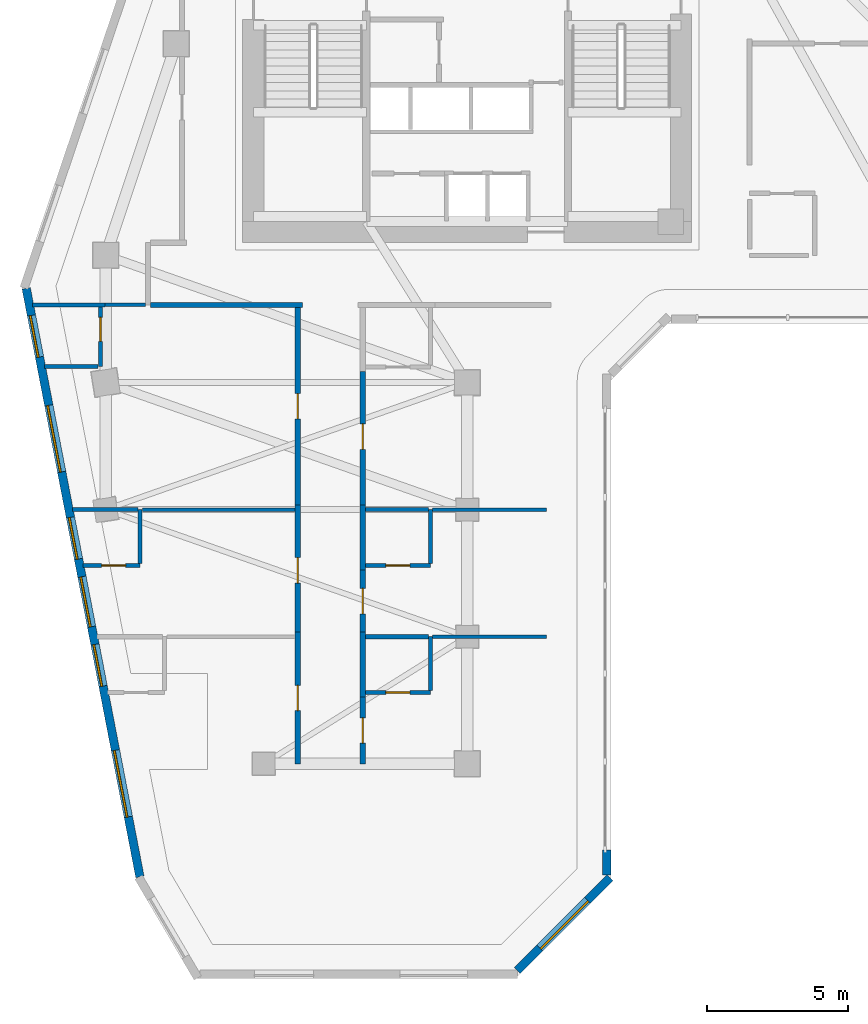
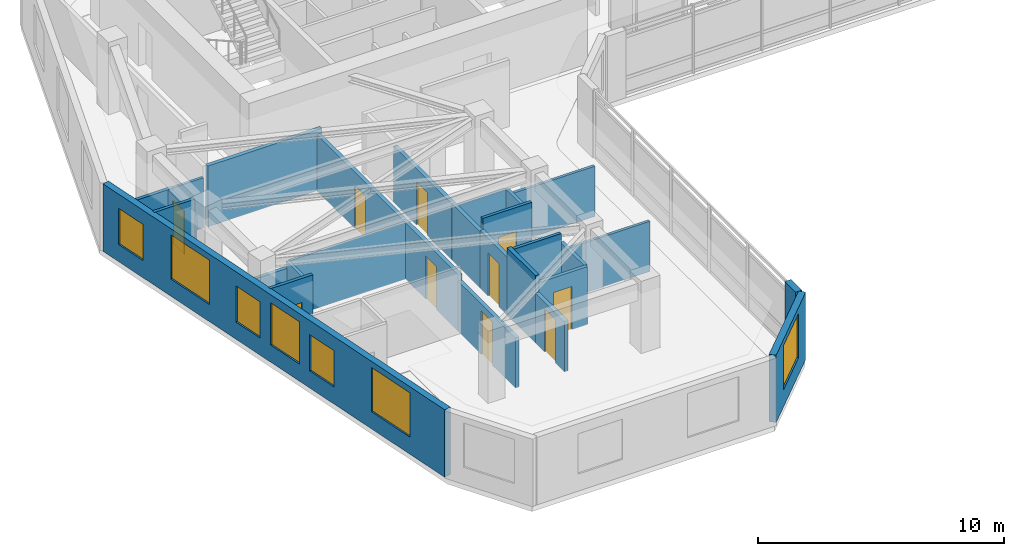
# One storey, part 5 of 14: 28 walls, 10 doors, 7 windows, 17 openings.
"""IFC4 building model written with IfcOpenShell, lengths in metres."""

import ifcopenshell
import ifcopenshell.guid

model = None  # the IFC model being written
_history = None  # IfcOwnerHistory: only IFC2X3 demands one
_inside = {}  # id of a spatial element -> (the spatial element, [elements in it])
_under = {}  # id of a project, library or spatial element -> (it, [spatial elements below it])
_declared = {}  # id of a project -> (the project, [libraries it declares])
_typed = {}  # id of a type object -> (the type object, [elements of that type])
_made_of = {}  # id of a material, layer set ... -> (it, [elements and type objects made of it])


def new_model(schema):
    """Start an empty IFC model of exactly this schema.

    Asked for "IFC4X3", IfcOpenShell would pick the latest addendum, in which some entities
    have other attributes; the version numbers below select the first issue.
    IFC2X3 requires an IfcOwnerHistory on every rooted entity: one is made here for all.
    """
    global model, _history
    if schema == "IFC4X3":
        model = ifcopenshell.file(schema_version=(4, 3, 0, 0))
    else:
        model = ifcopenshell.file(schema=schema)
    _inside.clear()
    _under.clear()
    _declared.clear()
    _typed.clear()
    _made_of.clear()
    _history = None
    if model.schema == "IFC2X3":
        org = make("IfcOrganization", Name="unknown")
        user = make(
            "IfcPersonAndOrganization",
            ThePerson=make("IfcPerson", FamilyName="unknown"),
            TheOrganization=org,
        )
        app = make(
            "IfcApplication",
            ApplicationDeveloper=org,
            Version="unknown",
            ApplicationFullName="unknown",
            ApplicationIdentifier="unknown",
        )
        _history = make(
            "IfcOwnerHistory",
            OwningUser=user,
            OwningApplication=app,
            ChangeAction="ADDED",
            CreationDate=0,
        )
    return model


def make(cls, **values):
    """One entity of the class cls with the attributes given. An attribute that is None is left unset."""
    return model.create_entity(
        cls, **{name: value for name, value in values.items() if value is not None}
    )


def rooted(cls, **values):
    """An entity with a GlobalId (a new one), such as an element, a storey or a relation."""
    return make(cls, GlobalId=ifcopenshell.guid.new(), OwnerHistory=_history, **values)


def si_unit(unit_type, name, prefix=None):
    """IfcSIUnit, for example si_unit("LENGTHUNIT", "METRE", prefix="MILLI")."""
    return make("IfcSIUnit", UnitType=unit_type, Prefix=prefix, Name=name)


def assignment(units):
    """IfcUnitAssignment: the units of a project."""
    return None if units is None else make("IfcUnitAssignment", Units=units)


def point(xyz):
    """IfcCartesianPoint."""
    return None if xyz is None else make("IfcCartesianPoint", Coordinates=xyz)


def direction(xyz):
    """IfcDirection."""
    return None if xyz is None else make("IfcDirection", DirectionRatios=xyz)


def frame(location, z_axis=None, x_axis=None):
    """IfcAxis2Placement3D, a coordinate frame: its origin and axes. An axis left out is left unset."""
    return make(
        "IfcAxis2Placement3D",
        Location=point(location),
        Axis=direction(z_axis),
        RefDirection=direction(x_axis),
    )


def frame_2d(location, x_axis=None):
    """IfcAxis2Placement2D, a coordinate frame in the plane: its origin and x axis."""
    return make(
        "IfcAxis2Placement2D", Location=point(location), RefDirection=direction(x_axis)
    )


def origin():
    """The frame at (0, 0, 0) with its axes left unset."""
    return frame((0.0, 0.0, 0.0))


def place(relative_to, where):
    """IfcLocalPlacement: puts the frame where relative to a parent placement (None: the world)."""
    return make(
        "IfcLocalPlacement", PlacementRelTo=relative_to, RelativePlacement=where
    )


def context(
    kind, dimensions, precision=None, world=None, true_north=None, identifier=None
):
    """IfcGeometricRepresentationContext, for example the 3D "Model" context."""
    return make(
        "IfcGeometricRepresentationContext",
        ContextIdentifier=identifier,
        ContextType=kind,
        CoordinateSpaceDimension=dimensions,
        Precision=precision,
        WorldCoordinateSystem=world,
        TrueNorth=true_north,
    )


def subcontext(parent, identifier, kind, view, scale=None):
    """IfcGeometricRepresentationSubContext, for example "Body" below "Model"."""
    return make(
        "IfcGeometricRepresentationSubContext",
        ContextIdentifier=identifier,
        ContextType=kind,
        ParentContext=parent,
        TargetScale=scale,
        TargetView=view,
    )


def project(units=None, contexts=None):
    """IfcProject with its units and contexts."""
    return rooted(
        "IfcProject",
        Name="project",
        RepresentationContexts=contexts,
        UnitsInContext=assignment(units),
    )


def spatial(cls, under=None, at=None, **own):
    """A site, building, storey or space (cls), placed at a placement, below another one or the project."""
    s = rooted(cls, ObjectPlacement=at, **own)
    if under is not None:
        _under.setdefault(under.id(), (under, []))[1].append(s)
    return s


def profile(cls, at=None, kind="AREA", **sizes):
    """A parametric profile (cls). Its sizes go by their IFC names, for example OverallWidth=200.0."""
    return make(cls, ProfileType=kind, Position=at, **sizes)


def rectangle(**sizes):
    """IfcRectangleProfileDef."""
    return profile("IfcRectangleProfileDef", **sizes)


def extrude(swept, where, along, depth):
    """IfcExtrudedAreaSolid: the profile swept, set in the frame where, extruded along a direction by depth."""
    return make(
        "IfcExtrudedAreaSolid",
        SweptArea=swept,
        Position=where,
        ExtrudedDirection=direction(along),
        Depth=depth,
    )


def shape(context_of_items, identifier, shape_type, items):
    """IfcShapeRepresentation: the items that make up one representation, for example the "Body"."""
    return make(
        "IfcShapeRepresentation",
        ContextOfItems=context_of_items,
        RepresentationIdentifier=identifier,
        RepresentationType=shape_type,
        Items=items,
    )


def source(mapping_origin, context_of_items, identifier, shape_type, items):
    """IfcRepresentationMap: a shape defined once, which mapped items show again and again."""
    return make(
        "IfcRepresentationMap",
        MappingOrigin=mapping_origin,
        MappedRepresentation=shape(context_of_items, identifier, shape_type, items),
    )


def transform(
    local_origin,
    x_axis=None,
    y_axis=None,
    z_axis=None,
    scale=None,
    scale2=None,
    scale3=None,
    uniform=True,
):
    """IfcCartesianTransformationOperator3D, or its non-uniform kind. x_axis, y_axis, z_axis: its Axis1, 2, 3."""
    if uniform:
        return make(
            "IfcCartesianTransformationOperator3D",
            Axis1=direction(x_axis),
            Axis2=direction(y_axis),
            LocalOrigin=point(local_origin),
            Scale=scale,
            Axis3=direction(z_axis),
        )
    return make(
        "IfcCartesianTransformationOperator3DnonUniform",
        Axis1=direction(x_axis),
        Axis2=direction(y_axis),
        LocalOrigin=point(local_origin),
        Scale=scale,
        Axis3=direction(z_axis),
        Scale2=scale2,
        Scale3=scale3,
    )


def mapped(mapping_source, mapping_target):
    """IfcMappedItem: shows the shape of a source again, moved by a transform."""
    return make(
        "IfcMappedItem", MappingSource=mapping_source, MappingTarget=mapping_target
    )


def material(Name=None, Category=None):
    """IfcMaterial."""
    return make("IfcMaterial", Name=Name, Category=Category)


def layer(
    of_material, thickness, ventilated=None, Name=None, Category=None, Priority=None
):
    """IfcMaterialLayer: one layer of a wall or slab, of a material (None: an air gap)."""
    return make(
        "IfcMaterialLayer",
        Material=of_material,
        LayerThickness=thickness,
        IsVentilated=ventilated,
        Name=Name,
        Category=Category,
        Priority=Priority,
    )


def layer_set(layers, Name=None):
    """IfcMaterialLayerSet."""
    return make("IfcMaterialLayerSet", MaterialLayers=layers, LayerSetName=Name)


def made_of(thing, what):
    """Note that an element or type object is made of a material, layer set ...; save() writes the relation."""
    if what is not None:
        _made_of.setdefault(what.id(), (what, []))[1].append(thing)
    return thing


def type_object(cls, material=None, **own):
    """A type object (cls), such as IfcWallType, which elements share."""
    return made_of(rooted(cls, **own), material)


def element(
    cls,
    number,
    at=None,
    inside=None,
    cuts=None,
    type_object=None,
    material=None,
    context=None,
    identifier="Body",
    shape_type=None,
    held_by="IfcProductDefinitionShape",
    body=None,
    shapes=None,
    **own,
):
    """One element of the class cls, such as IfcWall. Its Tag is "e" and its number.

    at: its placement. inside: the storey or other place that contains it. cuts: it is an
    opening in that element (IfcRelVoidsElement). A single representation is given by context,
    identifier, shape_type and body (its items); several are given by shapes. held_by: the class
    of the entity that holds the representations. save() writes the other relations.
    """
    e = rooted(cls, Tag="e%d" % number, ObjectPlacement=at, **own)
    if body is not None:
        shapes = [shape(context, identifier, shape_type, body)]
    if shapes is not None:
        e.Representation = make(held_by, Representations=shapes)
    if inside is not None:
        _inside.setdefault(inside.id(), (inside, []))[1].append(e)
    if cuts is not None:
        rooted(
            "IfcRelVoidsElement", RelatingBuildingElement=cuts, RelatedOpeningElement=e
        )
    if type_object is not None:
        _typed.setdefault(type_object.id(), (type_object, []))[1].append(e)
    return made_of(e, material)


def fill(opening, filler):
    """IfcRelFillsElement: the door or window that sits in an opening."""
    return rooted(
        "IfcRelFillsElement",
        RelatingOpeningElement=opening,
        RelatedBuildingElement=filler,
    )


def aggregate(whole, parts):
    """IfcRelAggregates: a whole, such as a stair, and the parts it consists of."""
    return rooted("IfcRelAggregates", RelatingObject=whole, RelatedObjects=parts)


def save(model, path):
    """Write the relations noted so far, then the file.

    IfcRelAggregates (storeys below a building ...), IfcRelContainedInSpatialStructure (elements
    in a storey), IfcRelDefinesByType, IfcRelAssociatesMaterial and IfcRelDeclares: one each for
    every whole, place, type object, material and project.
    """
    for whole, parts in _under.values():
        aggregate(whole, parts)
    for where, things in _inside.values():
        rooted(
            "IfcRelContainedInSpatialStructure",
            RelatedElements=things,
            RelatingStructure=where,
        )
    for kind, things in _typed.values():
        rooted("IfcRelDefinesByType", RelatedObjects=things, RelatingType=kind)
    for what, things in _made_of.values():
        rooted("IfcRelAssociatesMaterial", RelatedObjects=things, RelatingMaterial=what)
    for by, libraries in _declared.values():
        rooted("IfcRelDeclares", RelatingContext=by, RelatedDefinitions=libraries)
    model.write(path)


model = new_model("IFC4")

# Units and contexts
model_context = context("Model", 3, precision=1e-05, world=origin(), true_north=direction((0.0, 1.0)))
body_context = subcontext(model_context, "Body", "Model", "MODEL_VIEW")
ifc_project = project(units=[si_unit("LENGTHUNIT", "METRE"), si_unit("AREAUNIT", "SQUARE_METRE"), si_unit("VOLUMEUNIT", "CUBIC_METRE"), si_unit("PLANEANGLEUNIT", "RADIAN"), si_unit("MASSUNIT", "GRAM", prefix="KILO")], contexts=[model_context])

# Site, building, storey
site_placement = place(None, origin())
site = spatial("IfcSite", under=ifc_project, at=site_placement, CompositionType="ELEMENT")
building_placement = place(site_placement, origin())
building = spatial("IfcBuilding", under=site, at=building_placement, Name="Calvemar Wedge Station Tower", CompositionType="ELEMENT")
storey_placement = place(building_placement, frame((0.0, 0.0, 128.60009765625)))
storey = spatial("IfcBuildingStorey", under=building, at=storey_placement, Name="L31", CompositionType="ELEMENT", Elevation=128.60009765625)

# Wall
ifc_material_1 = material(Name="Double-stud fire-rated corridor partition")
ifc_layer_1 = layer(ifc_material_1, 0.179931640625)
ifc_layer_set_1 = layer_set([ifc_layer_1], Name="Double-stud fire-rated corridor partition")
wall_type_1 = type_object("IfcWallType", Name="W-CORR-180", PredefinedType="PARTITIONING", material=ifc_layer_set_1)
wall_1_placement = place(storey_placement, frame((17.9599609375, 31.25, 0.0), z_axis=(0.0, 0.0, 1.0), x_axis=(-1.0, 0.0, 0.0)))
element("IfcWall", 1, at=wall_1_placement, inside=storey, type_object=wall_type_1, Name="Storey L31 Interior Partition WL-L31-007", PredefinedType="PARTITIONING", context=body_context, shape_type="SweptSolid", body=[
    extrude(rectangle(XDim=5.365966796875, YDim=0.179931640625, at=frame_2d((2.68310546875, 0.0))), origin(), (0.0, 0.0, 1.0), 3.018798828125),
])

# Wall, opening, door
wall_2_placement = place(storey_placement, frame((17.800048828125, 15.0, 0.0), z_axis=(0.0, 0.0, 1.0), x_axis=(0.0, 1.0, 0.0)))
wall_2 = element("IfcWall", 2, at=wall_2_placement, inside=storey, type_object=wall_type_1, Name="Storey L31 Interior Partition WL-L31-043", PredefinedType="PARTITIONING", context=body_context, shape_type="SweptSolid", body=[
    extrude(rectangle(XDim=4.659912109375, YDim=0.179931640625, at=frame_2d((2.330078125, 0.0))), origin(), (0.0, 0.0, 1.0), 2.491943359375),
])
shared_shape_1 = source(origin(), body_context, "Body", "SweptSolid", [
    extrude(rectangle(XDim=0.89990234375, YDim=2.14990234375, at=frame_2d((0.449951171875, 1.074951171875))), frame((0.0, 0.10009765625, 0.0), z_axis=(0.0, -1.0, 0.0), x_axis=(1.0, 0.0, 0.0)), (0.0, 0.0, 1.0), 0.199951171875),
])
opening_1_placement = place(wall_2_placement, frame((1.8798828125, 0.0, 0.0)))
opening_1 = element("IfcOpeningElement", 3, at=opening_1_placement, cuts=wall_2, Name="Opening FD-60", PredefinedType="OPENING", context=body_context, shape_type="MappedRepresentation", body=[
    mapped(shared_shape_1, transform((0.0, 0.0, 0.0), scale=1.0)),
])
ifc_material_2 = material(Name="Fire-rated acoustic timber-core entrance door EI 60", Category="wood")
door_type_1 = type_object("IfcDoorType", Name="DR-FD60-900", OperationType="NOTDEFINED", PredefinedType="DOOR", material=ifc_material_2)
shared_shape_2 = source(origin(), body_context, "Body", "SweptSolid", [
    extrude(rectangle(XDim=0.89990234375, YDim=2.14990234375, at=frame_2d((0.449951171875, 1.074951171875))), frame((0.0, 0.02490234375, 0.0), z_axis=(0.0, -1.0, 0.0), x_axis=(1.0, 0.0, 0.0)), (0.0, 0.0, 1.0), 0.050048828125),
])
door_1_placement = place(opening_1_placement, origin())
door_1 = element("IfcDoor", 4, at=door_1_placement, inside=storey, type_object=door_type_1, Name="L31 Hotel Guest Room Door", OperationType="SINGLE_SWING_RIGHT", OverallHeight=2.14990234375, OverallWidth=0.89990234375, PredefinedType="DOOR", context=body_context, shape_type="MappedRepresentation", body=[
    mapped(shared_shape_2, transform((0.0, 0.0, 0.0), scale=1.0)),
])
fill(opening_1, door_1)

# Wall
wall_3_placement = place(storey_placement, frame((20.10009765625, 19.659912109375, 0.0), z_axis=(0.0, 0.0, 1.0), x_axis=(0.0, -1.0, 0.0)))
element("IfcWall", 5, at=wall_3_placement, inside=storey, type_object=wall_type_1, Name="Storey L31 Interior Partition WL-L31-044", PredefinedType="PARTITIONING", context=body_context, shape_type="SweptSolid", body=[
    extrude(rectangle(XDim=2.2998046875, YDim=0.179931640625, at=frame_2d((1.14990234375, 0.0))), origin(), (0.0, 0.0, 1.0), 3.349853515625),
])

# Wall, opening, door
wall_4_placement = place(storey_placement, frame((20.10009765625, 17.35791015625, 0.0), z_axis=(0.0, 0.0, 1.0), x_axis=(0.0, -1.0, 0.0)))
wall_4 = element("IfcWall", 6, at=wall_4_placement, inside=storey, type_object=wall_type_1, Name="Storey L31 Interior Partition WL-L31-045", PredefinedType="PARTITIONING", context=body_context, shape_type="SweptSolid", body=[
    extrude(rectangle(XDim=2.35791015625, YDim=0.179931640625, at=frame_2d((1.178955078125, 0.0))), origin(), (0.0, 0.0, 1.0), 2.491943359375),
])
opening_2_placement = place(wall_4_placement, frame((0.72900390625, 0.0, 0.0)))
opening_2 = element("IfcOpeningElement", 7, at=opening_2_placement, cuts=wall_4, Name="Opening FD-60", PredefinedType="OPENING", context=body_context, shape_type="MappedRepresentation", body=[
    mapped(shared_shape_1, transform((0.0, 0.0, 0.0), scale=1.0)),
])
door_2_placement = place(opening_2_placement, origin())
door_2 = element("IfcDoor", 8, at=door_2_placement, inside=storey, type_object=door_type_1, Name="L31 Hotel Guest Room Door", OperationType="SINGLE_SWING_RIGHT", OverallHeight=2.14990234375, OverallWidth=0.89990234375, PredefinedType="DOOR", context=body_context, shape_type="MappedRepresentation", body=[
    mapped(shared_shape_2, transform((0.0, 0.0, 0.0), scale=1.0)),
])
fill(opening_2, door_2)

wall_5_placement = place(storey_placement, frame((17.800048828125, 19.662109375, 0.0), z_axis=(0.0, 0.0, 1.0), x_axis=(0.0, 1.0, 0.0)))
wall_5 = element("IfcWall", 9, at=wall_5_placement, inside=storey, type_object=wall_type_1, Name="Storey L31 Interior Partition WL-L31-046", PredefinedType="PARTITIONING", context=body_context, shape_type="SweptSolid", body=[
    extrude(rectangle(XDim=4.497802734375, YDim=0.179931640625, at=frame_2d((2.2490234375, 0.0))), origin(), (0.0, 0.0, 1.0), 2.802978515625),
])
opening_3_placement = place(wall_5_placement, frame((1.73828125, 0.0, 0.0)))
opening_3 = element("IfcOpeningElement", 10, at=opening_3_placement, cuts=wall_5, Name="Opening FD-60", PredefinedType="OPENING", context=body_context, shape_type="MappedRepresentation", body=[
    mapped(shared_shape_1, transform((0.0, 0.0, 0.0), scale=1.0)),
])
door_3_placement = place(opening_3_placement, origin())
door_3 = element("IfcDoor", 11, at=door_3_placement, inside=storey, type_object=door_type_1, Name="L31 Hotel Guest Room Door", OperationType="SINGLE_SWING_RIGHT", OverallHeight=2.14990234375, OverallWidth=0.89990234375, PredefinedType="DOOR", context=body_context, shape_type="MappedRepresentation", body=[
    mapped(shared_shape_2, transform((0.0, 0.0, 0.0), scale=1.0)),
])
fill(opening_3, door_3)

# Wall
wall_6_placement = place(storey_placement, frame((20.10009765625, 24.159912109375, 0.0), z_axis=(0.0, 0.0, 1.0), x_axis=(0.0, -1.0, 0.0)))
element("IfcWall", 12, at=wall_6_placement, inside=storey, type_object=wall_type_1, Name="Storey L31 Interior Partition WL-L31-047", PredefinedType="PARTITIONING", context=body_context, shape_type="SweptSolid", body=[
    extrude(rectangle(XDim=2.2998046875, YDim=0.179931640625, at=frame_2d((1.14990234375, 0.0))), origin(), (0.0, 0.0, 1.0), 2.802978515625),
])

# Wall, opening, door
wall_7_placement = place(storey_placement, frame((20.10009765625, 21.85791015625, 0.0), z_axis=(0.0, 0.0, 1.0), x_axis=(0.0, -1.0, 0.0)))
wall_7 = element("IfcWall", 13, at=wall_7_placement, inside=storey, type_object=wall_type_1, Name="Storey L31 Interior Partition WL-L31-048", PredefinedType="PARTITIONING", context=body_context, shape_type="SweptSolid", body=[
    extrude(rectangle(XDim=2.19580078125, YDim=0.179931640625, at=frame_2d((1.097900390625, 0.0))), origin(), (0.0, 0.0, 1.0), 2.87890625),
])
opening_4_placement = place(wall_7_placement, frame((0.64794921875, 0.0, 0.0)))
opening_4 = element("IfcOpeningElement", 14, at=opening_4_placement, cuts=wall_7, Name="Opening FD-60", PredefinedType="OPENING", context=body_context, shape_type="MappedRepresentation", body=[
    mapped(shared_shape_1, transform((0.0, 0.0, 0.0), scale=1.0)),
])
door_4_placement = place(opening_4_placement, origin())
door_4 = element("IfcDoor", 15, at=door_4_placement, inside=storey, type_object=door_type_1, Name="L31 Hotel Guest Room Door", OperationType="SINGLE_SWING_RIGHT", OverallHeight=2.14990234375, OverallWidth=0.89990234375, PredefinedType="DOOR", context=body_context, shape_type="MappedRepresentation", body=[
    mapped(shared_shape_2, transform((0.0, 0.0, 0.0), scale=1.0)),
])
fill(opening_4, door_4)

wall_8_placement = place(storey_placement, frame((17.800048828125, 24.162109375, 0.0), z_axis=(0.0, 0.0, 1.0), x_axis=(0.0, 1.0, 0.0)))
wall_8 = element("IfcWall", 16, at=wall_8_placement, inside=storey, type_object=wall_type_1, Name="Storey L31 Interior Partition WL-L31-049", PredefinedType="PARTITIONING", context=body_context, shape_type="SweptSolid", body=[
    extrude(rectangle(XDim=6.993896484375, YDim=0.179931640625, at=frame_2d((3.4970703125, 0.0))), origin(), (0.0, 0.0, 1.0), 2.802978515625),
])
opening_5_placement = place(wall_8_placement, frame((3.047119140625, 0.0, 0.0)))
opening_5 = element("IfcOpeningElement", 17, at=opening_5_placement, cuts=wall_8, Name="Opening FD-60", PredefinedType="OPENING", context=body_context, shape_type="MappedRepresentation", body=[
    mapped(shared_shape_1, transform((0.0, 0.0, 0.0), scale=1.0)),
])
door_5_placement = place(opening_5_placement, origin())
door_5 = element("IfcDoor", 18, at=door_5_placement, inside=storey, type_object=door_type_1, Name="L31 Hotel Guest Room Door", OperationType="SINGLE_SWING_RIGHT", OverallHeight=2.14990234375, OverallWidth=0.89990234375, PredefinedType="DOOR", context=body_context, shape_type="MappedRepresentation", body=[
    mapped(shared_shape_2, transform((0.0, 0.0, 0.0), scale=1.0)),
])
fill(opening_5, door_5)

wall_9_placement = place(storey_placement, frame((20.10009765625, 28.887939453125, 0.0), z_axis=(0.0, 0.0, 1.0), x_axis=(0.0, -1.0, 0.0)))
wall_9 = element("IfcWall", 19, at=wall_9_placement, inside=storey, type_object=wall_type_1, Name="Storey L31 Interior Partition WL-L31-051", PredefinedType="PARTITIONING", context=body_context, shape_type="SweptSolid", body=[
    extrude(rectangle(XDim=4.725830078125, YDim=0.179931640625, at=frame_2d((2.36279296875, 0.0))), origin(), (0.0, 0.0, 1.0), 2.802978515625),
])
opening_6_placement = place(wall_9_placement, frame((1.8525390625, 0.0, 0.0)))
opening_6 = element("IfcOpeningElement", 20, at=opening_6_placement, cuts=wall_9, Name="Opening FD-60", PredefinedType="OPENING", context=body_context, shape_type="MappedRepresentation", body=[
    mapped(shared_shape_1, transform((0.0, 0.0, 0.0), scale=1.0)),
])
door_6_placement = place(opening_6_placement, origin())
door_6 = element("IfcDoor", 21, at=door_6_placement, inside=storey, type_object=door_type_1, Name="L31 Hotel Guest Room Door", OperationType="SINGLE_SWING_RIGHT", OverallHeight=2.14990234375, OverallWidth=0.89990234375, PredefinedType="DOOR", context=body_context, shape_type="MappedRepresentation", body=[
    mapped(shared_shape_2, transform((0.0, 0.0, 0.0), scale=1.0)),
])
fill(opening_6, door_6)

# Wall, opening, window
ifc_material_3 = material(Name="Precast concrete C45", Category="concrete")
ifc_layer_2 = layer(ifc_material_3, 0.300048828125)
ifc_layer_set_2 = layer_set([ifc_layer_2], Name="Precast concrete C45")
wall_type_2 = type_object("IfcWallType", Name="W-EXT-GFRC-300", PredefinedType="SOLIDWALL", material=ifc_layer_set_2)
wall_10_placement = place(storey_placement, frame((25.572021484375, 7.68798828125, 0.0), z_axis=(0.0, 0.0, 1.0), x_axis=(0.70708046583, 0.707133095564, 0.0)))
wall_10 = element("IfcWall", 22, at=wall_10_placement, inside=storey, type_object=wall_type_2, Name="Storey L31 Bronze GFRC Exterior Wall 3", PredefinedType="SOLIDWALL", context=body_context, shape_type="SweptSolid", body=[
    extrude(rectangle(XDim=4.638916015625, YDim=0.300048828125, at=frame_2d((2.3193359375, 0.0))), origin(), (0.0, 0.0, 1.0), 3.349853515625),
])
shared_shape_3 = source(origin(), body_context, "Body", "SweptSolid", [
    extrude(rectangle(XDim=2.39990234375, YDim=2.199951171875, at=frame_2d((1.199951171875, 1.10009765625))), frame((0.0, 0.16015625, 0.0), z_axis=(0.0, -1.0, 0.0), x_axis=(1.0, 0.0, 0.0)), (0.0, 0.0, 1.0), 0.320068359375),
])
opening_7_placement = place(wall_10_placement, frame((1.118896484375, 0.0, 0.85009765625)))
opening_7 = element("IfcOpeningElement", 23, at=opening_7_placement, cuts=wall_10, Name="Opening W1", PredefinedType="OPENING", context=body_context, shape_type="MappedRepresentation", body=[
    mapped(shared_shape_3, transform((0.0, 0.0, 0.0), scale=1.0)),
])
ifc_material_4 = material(Name="Low-E laminated insulated glass", Category="glass")
window_type_1 = type_object("IfcWindowType", Name="WIN-EXT-1", PartitioningType="SINGLE_PANEL", PredefinedType="WINDOW", material=ifc_material_4)
shared_shape_4 = source(origin(), body_context, "Body", "SweptSolid", [
    extrude(rectangle(XDim=2.39990234375, YDim=2.199951171875, at=frame_2d((1.199951171875, 1.10009765625))), frame((0.0, -0.014892578125, 0.0), z_axis=(0.0, -1.0, 0.0), x_axis=(1.0, 0.0, 0.0)), (0.0, 0.0, 1.0), 0.06005859375),
])
window_1_placement = place(opening_7_placement, origin())
window_1 = element("IfcWindow", 24, at=window_1_placement, inside=storey, type_object=window_type_1, Name="Storey L31 Recessed Window 3.1", OverallHeight=2.199951171875, OverallWidth=2.39990234375, PartitioningType="SINGLE_PANEL", PredefinedType="WINDOW", context=body_context, shape_type="MappedRepresentation", body=[
    mapped(shared_shape_4, transform((0.0, 0.0, 0.0), scale=1.0)),
])
fill(opening_7, window_1)

# Wall
wall_11_placement = place(storey_placement, frame((28.74609375, 11.057373046875, 0.0), z_axis=(0.0, 0.0, 1.0), x_axis=(0.0, 1.0, 0.0)))
element("IfcWall", 25, at=wall_11_placement, inside=storey, type_object=wall_type_2, Name="Storey L31 Bronze GFRC Corner Pier 4A", PredefinedType="SOLIDWALL", context=body_context, shape_type="SweptSolid", body=[
    extrude(rectangle(XDim=0.88232421875, YDim=0.300048828125, at=frame_2d((0.441162109375, 0.0))), origin(), (0.0, 0.0, 1.0), 3.349853515625),
])

# Wall, openings, windows
wall_12_placement = place(storey_placement, frame((8.184814453125, 31.833740234375, 0.0), z_axis=(0.0, 0.0, 1.0), x_axis=(0.189707113148, -0.981840725994, 0.0)))
wall_12 = element("IfcWall", 26, at=wall_12_placement, inside=storey, type_object=wall_type_2, Name="Storey L31 Bronze GFRC Exterior Wall 13", PredefinedType="SOLIDWALL", context=body_context, shape_type="SweptSolid", body=[
    extrude(rectangle(XDim=21.221435546875, YDim=0.300048828125, at=frame_2d((10.61083984375, 0.0))), origin(), (0.0, 0.0, 1.0), 3.349853515625),
])
shared_shape_5 = source(origin(), body_context, "Body", "SweptSolid", [
    extrude(rectangle(XDim=1.5, YDim=1.800048828125, at=frame_2d((0.75, 0.89990234375))), frame((0.0, 0.16015625, 0.0), z_axis=(0.0, -1.0, 0.0), x_axis=(1.0, 0.0, 0.0)), (0.0, 0.0, 1.0), 0.320068359375),
])
opening_8_placement = place(wall_12_placement, frame((0.97705078125, 0.0, 0.85009765625)))
opening_8 = element("IfcOpeningElement", 27, at=opening_8_placement, cuts=wall_12, Name="Opening W3", PredefinedType="OPENING", context=body_context, shape_type="MappedRepresentation", body=[
    mapped(shared_shape_5, transform((0.0, 0.0, 0.0), scale=1.0)),
])
opening_9_placement = place(wall_12_placement, frame((4.218994140625, 0.0, 0.85009765625)))
opening_9 = element("IfcOpeningElement", 28, at=opening_9_placement, cuts=wall_12, Name="Opening W1", PredefinedType="OPENING", context=body_context, shape_type="MappedRepresentation", body=[
    mapped(shared_shape_3, transform((0.0, 0.0, 0.0), scale=1.0)),
])
opening_10_placement = place(wall_12_placement, frame((8.259033203125, 0.0, 0.85009765625)))
opening_10 = element("IfcOpeningElement", 29, at=opening_10_placement, cuts=wall_12, Name="Opening W3", PredefinedType="OPENING", context=body_context, shape_type="MappedRepresentation", body=[
    mapped(shared_shape_5, transform((0.0, 0.0, 0.0), scale=1.0)),
])
shared_shape_6 = source(origin(), body_context, "Body", "SweptSolid", [
    extrude(rectangle(XDim=1.800048828125, YDim=2.10009765625, at=frame_2d((0.89990234375, 1.050048828125))), frame((0.0, 0.16015625, 0.0), z_axis=(0.0, -1.0, 0.0), x_axis=(1.0, 0.0, 0.0)), (0.0, 0.0, 1.0), 0.320068359375),
])
opening_11_placement = place(wall_12_placement, frame((10.40087890625, 0.0, 0.85009765625)))
opening_11 = element("IfcOpeningElement", 30, at=opening_11_placement, cuts=wall_12, Name="Opening W2", PredefinedType="OPENING", context=body_context, shape_type="MappedRepresentation", body=[
    mapped(shared_shape_6, transform((0.0, 0.0, 0.0), scale=1.0)),
])
opening_12_placement = place(wall_12_placement, frame((12.842041015625, 0.0, 0.85009765625)))
opening_12 = element("IfcOpeningElement", 31, at=opening_12_placement, cuts=wall_12, Name="Opening W3", PredefinedType="OPENING", context=body_context, shape_type="MappedRepresentation", body=[
    mapped(shared_shape_5, transform((0.0, 0.0, 0.0), scale=1.0)),
])
opening_13_placement = place(wall_12_placement, frame((16.660888671875, 0.0, 0.85009765625)))
opening_13 = element("IfcOpeningElement", 32, at=opening_13_placement, cuts=wall_12, Name="Opening W1", PredefinedType="OPENING", context=body_context, shape_type="MappedRepresentation", body=[
    mapped(shared_shape_3, transform((0.0, 0.0, 0.0), scale=1.0)),
])
window_type_2 = type_object("IfcWindowType", Name="WIN-EXT-2", PartitioningType="SINGLE_PANEL", PredefinedType="WINDOW", material=ifc_material_4)
shared_shape_7 = source(origin(), body_context, "Body", "SweptSolid", [
    extrude(rectangle(XDim=1.800048828125, YDim=2.10009765625, at=frame_2d((0.89990234375, 1.050048828125))), frame((0.0, -0.014892578125, 0.0), z_axis=(0.0, -1.0, 0.0), x_axis=(1.0, 0.0, 0.0)), (0.0, 0.0, 1.0), 0.06005859375),
])
window_2_placement = place(opening_11_placement, origin())
window_2 = element("IfcWindow", 33, at=window_2_placement, inside=storey, type_object=window_type_2, Name="Storey L31 Recessed Window 13.4", OverallHeight=2.10009765625, OverallWidth=1.800048828125, PartitioningType="SINGLE_PANEL", PredefinedType="WINDOW", context=body_context, shape_type="MappedRepresentation", body=[
    mapped(shared_shape_7, transform((0.0, 0.0, 0.0), scale=1.0)),
])
fill(opening_11, window_2)
window_3_placement = place(opening_9_placement, origin())
window_3 = element("IfcWindow", 34, at=window_3_placement, inside=storey, type_object=window_type_1, Name="Storey L31 Recessed Window 13.2", OverallHeight=2.199951171875, OverallWidth=2.39990234375, PartitioningType="SINGLE_PANEL", PredefinedType="WINDOW", context=body_context, shape_type="MappedRepresentation", body=[
    mapped(shared_shape_4, transform((0.0, 0.0, 0.0), scale=1.0)),
])
fill(opening_9, window_3)
window_4_placement = place(opening_13_placement, origin())
window_4 = element("IfcWindow", 35, at=window_4_placement, inside=storey, type_object=window_type_1, Name="Storey L31 Recessed Window 13.6", OverallHeight=2.199951171875, OverallWidth=2.39990234375, PartitioningType="SINGLE_PANEL", PredefinedType="WINDOW", context=body_context, shape_type="MappedRepresentation", body=[
    mapped(shared_shape_4, transform((0.0, 0.0, 0.0), scale=1.0)),
])
fill(opening_13, window_4)
window_type_3 = type_object("IfcWindowType", Name="WIN-EXT-3", PartitioningType="SINGLE_PANEL", PredefinedType="WINDOW", material=ifc_material_4)
shared_shape_8 = source(origin(), body_context, "Body", "SweptSolid", [
    extrude(rectangle(XDim=1.5, YDim=1.800048828125, at=frame_2d((0.75, 0.89990234375))), frame((0.0, -0.014892578125, 0.0), z_axis=(0.0, -1.0, 0.0), x_axis=(1.0, 0.0, 0.0)), (0.0, 0.0, 1.0), 0.06005859375),
])
window_5_placement = place(opening_8_placement, origin())
window_5 = element("IfcWindow", 36, at=window_5_placement, inside=storey, type_object=window_type_3, Name="Storey L31 Recessed Window 13.1", OverallHeight=1.800048828125, OverallWidth=1.5, PartitioningType="SINGLE_PANEL", PredefinedType="WINDOW", context=body_context, shape_type="MappedRepresentation", body=[
    mapped(shared_shape_8, transform((0.0, 0.0, 0.0), scale=1.0)),
])
fill(opening_8, window_5)
window_6_placement = place(opening_10_placement, origin())
window_6 = element("IfcWindow", 37, at=window_6_placement, inside=storey, type_object=window_type_3, Name="Storey L31 Recessed Window 13.3", OverallHeight=1.800048828125, OverallWidth=1.5, PartitioningType="SINGLE_PANEL", PredefinedType="WINDOW", context=body_context, shape_type="MappedRepresentation", body=[
    mapped(shared_shape_8, transform((0.0, 0.0, 0.0), scale=1.0)),
])
fill(opening_10, window_6)
window_7_placement = place(opening_12_placement, origin())
window_7 = element("IfcWindow", 38, at=window_7_placement, inside=storey, type_object=window_type_3, Name="Storey L31 Recessed Window 13.5", OverallHeight=1.800048828125, OverallWidth=1.5, PartitioningType="SINGLE_PANEL", PredefinedType="WINDOW", context=body_context, shape_type="MappedRepresentation", body=[
    mapped(shared_shape_8, transform((0.0, 0.0, 0.0), scale=1.0)),
])
fill(opening_12, window_7)

# Walls
ifc_material_5 = material(Name="Insulated acoustic gypsum stud partition")
ifc_layer_3 = layer(ifc_material_5, 0.125)
ifc_layer_set_3 = layer_set([ifc_layer_3], Name="Insulated acoustic gypsum stud partition")
wall_type_3 = type_object("IfcWallType", Name="W-PART-125", PredefinedType="PARTITIONING", material=ifc_layer_set_3)
wall_13_placement = place(storey_placement, frame((12.406005859375, 31.25, 0.0), z_axis=(0.0, 0.0, 1.0), x_axis=(-1.0, 0.0, 0.0)))
element("IfcWall", 39, at=wall_13_placement, inside=storey, type_object=wall_type_3, Name="Storey L31 Interior Partition WL-L31-018", PredefinedType="PARTITIONING", context=body_context, shape_type="SweptSolid", body=[
    extrude(rectangle(XDim=1.43310546875, YDim=0.125, at=frame_2d((0.716552734375, 0.0))), origin(), (0.0, 0.0, 1.0), 2.491943359375),
])
wall_14_placement = place(storey_placement, frame((22.5791015625, 19.5, 0.0), z_axis=(0.0, 0.0, 1.0), x_axis=(1.0, 0.0, 0.0)))
element("IfcWall", 40, at=wall_14_placement, inside=storey, type_object=wall_type_3, Name="Storey L31 Interior Partition WL-L31-059", PredefinedType="PARTITIONING", context=body_context, shape_type="SweptSolid", body=[
    extrude(rectangle(XDim=4.02099609375, YDim=0.125, at=frame_2d((2.010498046875, 0.0))), origin(), (0.0, 0.0, 1.0), 2.491943359375),
])
wall_15_placement = place(storey_placement, frame((12.294677734375, 24.0, 0.0), z_axis=(0.0, 0.0, 1.0), x_axis=(1.0, 0.0, 0.0)))
element("IfcWall", 41, at=wall_15_placement, inside=storey, type_object=wall_type_3, Name="Storey L31 Interior Partition WL-L31-063", PredefinedType="PARTITIONING", context=body_context, shape_type="SweptSolid", body=[
    extrude(rectangle(XDim=5.411376953125, YDim=0.125, at=frame_2d((2.70556640625, 0.0))), origin(), (0.0, 0.0, 1.0), 2.802978515625),
])
wall_16_placement = place(storey_placement, frame((22.5791015625, 24.0, 0.0), z_axis=(0.0, 0.0, 1.0), x_axis=(1.0, 0.0, 0.0)))
element("IfcWall", 42, at=wall_16_placement, inside=storey, type_object=wall_type_3, Name="Storey L31 Interior Partition WL-L31-067", PredefinedType="PARTITIONING", context=body_context, shape_type="SweptSolid", body=[
    extrude(rectangle(XDim=4.02099609375, YDim=0.125, at=frame_2d((2.010498046875, 0.0))), origin(), (0.0, 0.0, 1.0), 2.491943359375),
])
ifc_material_6 = material(Name="Moisture-resistant acoustic bathroom partition")
ifc_layer_4 = layer(ifc_material_6, 0.14990234375)
ifc_layer_set_4 = layer_set([ifc_layer_4], Name="Moisture-resistant acoustic bathroom partition")
wall_type_4 = type_object("IfcWallType", Name="W-WET-150", PredefinedType="PARTITIONING", material=ifc_layer_set_4)
wall_17_placement = place(storey_placement, frame((10.970947265625, 31.25, 0.0), z_axis=(0.0, 0.0, 1.0), x_axis=(-1.0, 0.0, 0.0)))
element("IfcWall", 43, at=wall_17_placement, inside=storey, type_object=wall_type_4, Name="Storey L31 Interior Partition WL-L31-017", PredefinedType="PARTITIONING", context=body_context, shape_type="SweptSolid", body=[
    extrude(rectangle(XDim=2.55615234375, YDim=0.14990234375, at=frame_2d((1.278076171875, 0.0))), origin(), (0.0, 0.0, 1.0), 2.491943359375),
])

# Wall, opening, door
wall_18_placement = place(storey_placement, frame((22.5, 17.52001953125, 0.0), z_axis=(0.0, 0.0, 1.0), x_axis=(-1.0, 0.0, 0.0)))
wall_18 = element("IfcWall", 44, at=wall_18_placement, inside=storey, type_object=wall_type_4, Name="Storey L31 Interior Partition WL-L31-056", PredefinedType="PARTITIONING", context=body_context, shape_type="SweptSolid", body=[
    extrude(rectangle(XDim=2.305908203125, YDim=0.14990234375, at=frame_2d((1.15283203125, 0.0))), origin(), (0.0, 0.0, 1.0), 2.87890625),
])
shared_shape_9 = source(origin(), body_context, "Body", "SweptSolid", [
    extrude(rectangle(XDim=0.85009765625, YDim=2.14990234375, at=frame_2d((0.425048828125, 1.074951171875))), frame((0.0, 0.0849609375, 0.0), z_axis=(0.0, -1.0, 0.0), x_axis=(1.0, 0.0, 0.0)), (0.0, 0.0, 1.0), 0.169921875),
])
opening_14_placement = place(wall_18_placement, frame((0.72802734375, 0.0, 0.0)))
opening_14 = element("IfcOpeningElement", 45, at=opening_14_placement, cuts=wall_18, Name="Opening D-02", PredefinedType="OPENING", context=body_context, shape_type="MappedRepresentation", body=[
    mapped(shared_shape_9, transform((0.0, 0.0, 0.0), scale=1.0)),
])
ifc_material_7 = material(Name="Moisture-sealed bathroom hardwood swing door", Category="wood")
door_type_2 = type_object("IfcDoorType", Name="DR-WET-850", OperationType="NOTDEFINED", PredefinedType="DOOR", material=ifc_material_7)
shared_shape_10 = source(origin(), body_context, "Body", "SweptSolid", [
    extrude(rectangle(XDim=0.85009765625, YDim=2.14990234375, at=frame_2d((0.425048828125, 1.074951171875))), frame((0.0, 0.02490234375, 0.0), z_axis=(0.0, -1.0, 0.0), x_axis=(1.0, 0.0, 0.0)), (0.0, 0.0, 1.0), 0.050048828125),
])
door_7_placement = place(opening_14_placement, origin())
door_7 = element("IfcDoor", 46, at=door_7_placement, inside=storey, type_object=door_type_2, Name="L31 En-Suite Bathroom Door", OperationType="SINGLE_SWING_LEFT", OverallHeight=2.14990234375, OverallWidth=0.85009765625, PredefinedType="DOOR", context=body_context, shape_type="MappedRepresentation", body=[
    mapped(shared_shape_10, transform((0.0, 0.0, 0.0), scale=1.0)),
])
fill(opening_14, door_7)

# Walls
wall_19_placement = place(storey_placement, frame((22.5, 19.5, 0.0), z_axis=(0.0, 0.0, 1.0), x_axis=(0.0, -1.0, 0.0)))
element("IfcWall", 47, at=wall_19_placement, inside=storey, type_object=wall_type_4, Name="Storey L31 Interior Partition WL-L31-057", PredefinedType="PARTITIONING", context=body_context, shape_type="SweptSolid", body=[
    extrude(rectangle(XDim=1.90087890625, YDim=0.14990234375, at=frame_2d((0.950439453125, 0.0))), origin(), (0.0, 0.0, 1.0), 2.87890625),
])
wall_20_placement = place(storey_placement, frame((20.194091796875, 19.5, 0.0), z_axis=(0.0, 0.0, 1.0), x_axis=(1.0, 0.0, 0.0)))
element("IfcWall", 48, at=wall_20_placement, inside=storey, type_object=wall_type_4, Name="Storey L31 Interior Partition WL-L31-058", PredefinedType="PARTITIONING", context=body_context, shape_type="SweptSolid", body=[
    extrude(rectangle(XDim=2.226806640625, YDim=0.14990234375, at=frame_2d((1.11328125, 0.0))), origin(), (0.0, 0.0, 1.0), 3.349853515625),
])

# Wall, opening, door
wall_21_placement = place(storey_placement, frame((12.215576171875, 22.02001953125, 0.0), z_axis=(0.0, 0.0, 1.0), x_axis=(-1.0, 0.0, 0.0)))
wall_21 = element("IfcWall", 49, at=wall_21_placement, inside=storey, type_object=wall_type_4, Name="Storey L31 Interior Partition WL-L31-060", PredefinedType="PARTITIONING", context=body_context, shape_type="SweptSolid", body=[
    extrude(rectangle(XDim=2.017578125, YDim=0.14990234375, at=frame_2d((1.0087890625, 0.0))), origin(), (0.0, 0.0, 1.0), 3.349853515625),
])
opening_15_placement = place(wall_21_placement, frame((0.5078125, 0.0, 0.0)))
opening_15 = element("IfcOpeningElement", 50, at=opening_15_placement, cuts=wall_21, Name="Opening D-02", PredefinedType="OPENING", context=body_context, shape_type="MappedRepresentation", body=[
    mapped(shared_shape_9, transform((0.0, 0.0, 0.0), scale=1.0)),
])
door_8_placement = place(opening_15_placement, origin())
door_8 = element("IfcDoor", 51, at=door_8_placement, inside=storey, type_object=door_type_2, Name="L31 En-Suite Bathroom Door", OperationType="SINGLE_SWING_LEFT", OverallHeight=2.14990234375, OverallWidth=0.85009765625, PredefinedType="DOOR", context=body_context, shape_type="MappedRepresentation", body=[
    mapped(shared_shape_10, transform((0.0, 0.0, 0.0), scale=1.0)),
])
fill(opening_15, door_8)

# Walls
wall_22_placement = place(storey_placement, frame((12.215576171875, 24.0, 0.0), z_axis=(0.0, 0.0, 1.0), x_axis=(0.0, -1.0, 0.0)))
element("IfcWall", 52, at=wall_22_placement, inside=storey, type_object=wall_type_4, Name="Storey L31 Interior Partition WL-L31-061", PredefinedType="PARTITIONING", context=body_context, shape_type="SweptSolid", body=[
    extrude(rectangle(XDim=1.90087890625, YDim=0.14990234375, at=frame_2d((0.950439453125, 0.0))), origin(), (0.0, 0.0, 1.0), 2.802978515625),
])
wall_23_placement = place(storey_placement, frame((9.815673828125, 24.0, 0.0), z_axis=(0.0, 0.0, 1.0), x_axis=(1.0, 0.0, 0.0)))
element("IfcWall", 53, at=wall_23_placement, inside=storey, type_object=wall_type_4, Name="Storey L31 Interior Partition WL-L31-062", PredefinedType="PARTITIONING", context=body_context, shape_type="SweptSolid", body=[
    extrude(rectangle(XDim=2.321044921875, YDim=0.14990234375, at=frame_2d((1.16064453125, 0.0))), origin(), (0.0, 0.0, 1.0), 2.491943359375),
])

# Wall, opening, door
wall_24_placement = place(storey_placement, frame((22.5, 22.02001953125, 0.0), z_axis=(0.0, 0.0, 1.0), x_axis=(-1.0, 0.0, 0.0)))
wall_24 = element("IfcWall", 54, at=wall_24_placement, inside=storey, type_object=wall_type_4, Name="Storey L31 Interior Partition WL-L31-064", PredefinedType="PARTITIONING", context=body_context, shape_type="SweptSolid", body=[
    extrude(rectangle(XDim=2.305908203125, YDim=0.14990234375, at=frame_2d((1.15283203125, 0.0))), origin(), (0.0, 0.0, 1.0), 3.349853515625),
])
opening_16_placement = place(wall_24_placement, frame((0.72802734375, 0.0, 0.0)))
opening_16 = element("IfcOpeningElement", 55, at=opening_16_placement, cuts=wall_24, Name="Opening D-02", PredefinedType="OPENING", context=body_context, shape_type="MappedRepresentation", body=[
    mapped(shared_shape_9, transform((0.0, 0.0, 0.0), scale=1.0)),
])
door_9_placement = place(opening_16_placement, origin())
door_9 = element("IfcDoor", 56, at=door_9_placement, inside=storey, type_object=door_type_2, Name="L31 En-Suite Bathroom Door", OperationType="SINGLE_SWING_LEFT", OverallHeight=2.14990234375, OverallWidth=0.85009765625, PredefinedType="DOOR", context=body_context, shape_type="MappedRepresentation", body=[
    mapped(shared_shape_10, transform((0.0, 0.0, 0.0), scale=1.0)),
])
fill(opening_16, door_9)

# Walls
wall_25_placement = place(storey_placement, frame((22.5, 24.0, 0.0), z_axis=(0.0, 0.0, 1.0), x_axis=(0.0, -1.0, 0.0)))
element("IfcWall", 57, at=wall_25_placement, inside=storey, type_object=wall_type_4, Name="Storey L31 Interior Partition WL-L31-065", PredefinedType="PARTITIONING", context=body_context, shape_type="SweptSolid", body=[
    extrude(rectangle(XDim=1.90087890625, YDim=0.14990234375, at=frame_2d((0.950439453125, 0.0))), origin(), (0.0, 0.0, 1.0), 2.802978515625),
])
wall_26_placement = place(storey_placement, frame((20.194091796875, 24.0, 0.0), z_axis=(0.0, 0.0, 1.0), x_axis=(1.0, 0.0, 0.0)))
element("IfcWall", 58, at=wall_26_placement, inside=storey, type_object=wall_type_4, Name="Storey L31 Interior Partition WL-L31-066", PredefinedType="PARTITIONING", context=body_context, shape_type="SweptSolid", body=[
    extrude(rectangle(XDim=2.226806640625, YDim=0.14990234375, at=frame_2d((1.11328125, 0.0))), origin(), (0.0, 0.0, 1.0), 2.802978515625),
])

# Wall, opening, door
wall_27_placement = place(storey_placement, frame((10.810791015625, 31.1708984375, 0.0), z_axis=(0.0, 0.0, 1.0), x_axis=(0.0, -1.0, 0.0)))
wall_27 = element("IfcWall", 59, at=wall_27_placement, inside=storey, type_object=wall_type_4, Name="Storey L31 Interior Partition WL-L31-068", PredefinedType="PARTITIONING", context=body_context, shape_type="SweptSolid", body=[
    extrude(rectangle(XDim=2.100830078125, YDim=0.14990234375, at=frame_2d((1.05029296875, 0.0))), origin(), (0.0, 0.0, 1.0), 2.491943359375),
])
opening_17_placement = place(wall_27_placement, frame((0.366455078125, 0.0, 0.0)))
opening_17 = element("IfcOpeningElement", 60, at=opening_17_placement, cuts=wall_27, Name="Opening D-02", PredefinedType="OPENING", context=body_context, shape_type="MappedRepresentation", body=[
    mapped(shared_shape_9, transform((0.0, 0.0, 0.0), scale=1.0)),
])
door_10_placement = place(opening_17_placement, origin())
door_10 = element("IfcDoor", 61, at=door_10_placement, inside=storey, type_object=door_type_2, Name="L31 En-Suite Bathroom Door", OperationType="SINGLE_SWING_LEFT", OverallHeight=2.14990234375, OverallWidth=0.85009765625, PredefinedType="DOOR", context=body_context, shape_type="MappedRepresentation", body=[
    mapped(shared_shape_10, transform((0.0, 0.0, 0.0), scale=1.0)),
])
fill(opening_17, door_10)

# Wall
wall_28_placement = place(storey_placement, frame((10.73193359375, 29.070068359375, 0.0), z_axis=(0.0, 0.0, 1.0), x_axis=(-1.0, 0.0, 0.0)))
element("IfcWall", 62, at=wall_28_placement, inside=storey, type_object=wall_type_4, Name="Storey L31 Interior Partition WL-L31-069", PredefinedType="PARTITIONING", context=body_context, shape_type="SweptSolid", body=[
    extrude(rectangle(XDim=1.89599609375, YDim=0.14990234375, at=frame_2d((0.947998046875, 0.0))), origin(), (0.0, 0.0, 1.0), 3.349853515625),
])

save(model, "model.ifc")
